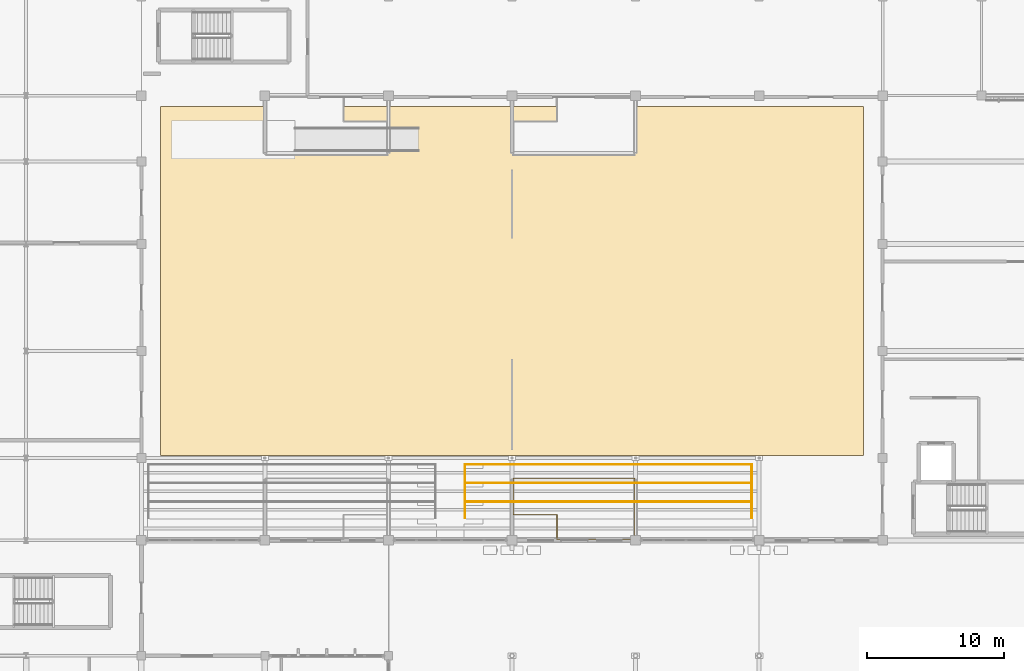
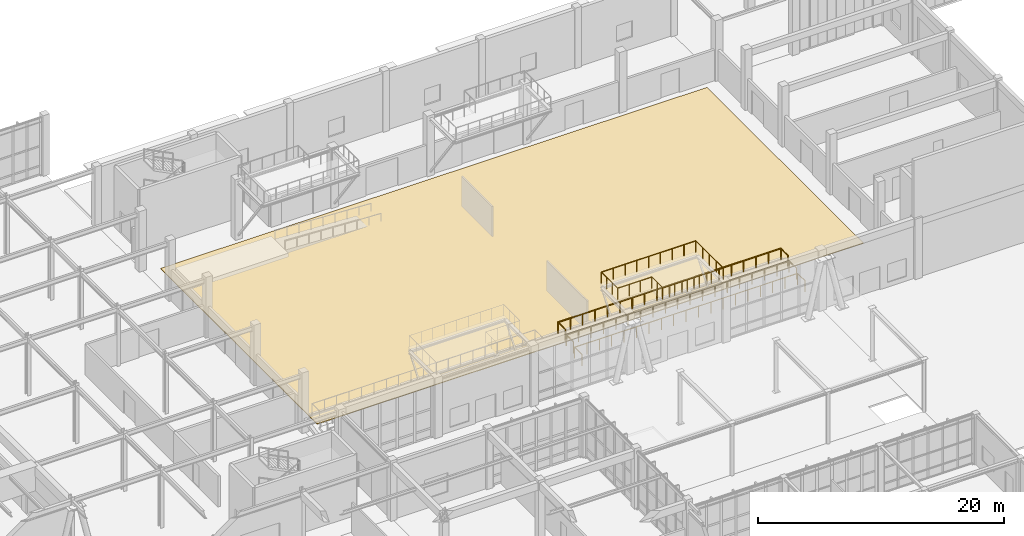
# One storey, part 100 of 110: 4 railings, 1 covering.
"""IFC4 building model written with IfcOpenShell, lengths in metres."""

import ifcopenshell
import ifcopenshell.guid

model = None  # the IFC model being written
_history = None  # IfcOwnerHistory: only IFC2X3 demands one
_inside = {}  # id of a spatial element -> (the spatial element, [elements in it])
_under = {}  # id of a project, library or spatial element -> (it, [spatial elements below it])
_declared = {}  # id of a project -> (the project, [libraries it declares])
_typed = {}  # id of a type object -> (the type object, [elements of that type])
_made_of = {}  # id of a material, layer set ... -> (it, [elements and type objects made of it])


def new_model(schema):
    """Start an empty IFC model of exactly this schema.

    Asked for "IFC4X3", IfcOpenShell would pick the latest addendum, in which some entities
    have other attributes; the version numbers below select the first issue.
    IFC2X3 requires an IfcOwnerHistory on every rooted entity: one is made here for all.
    """
    global model, _history
    if schema == "IFC4X3":
        model = ifcopenshell.file(schema_version=(4, 3, 0, 0))
    else:
        model = ifcopenshell.file(schema=schema)
    _inside.clear()
    _under.clear()
    _declared.clear()
    _typed.clear()
    _made_of.clear()
    _history = None
    if model.schema == "IFC2X3":
        org = make("IfcOrganization", Name="unknown")
        user = make(
            "IfcPersonAndOrganization",
            ThePerson=make("IfcPerson", FamilyName="unknown"),
            TheOrganization=org,
        )
        app = make(
            "IfcApplication",
            ApplicationDeveloper=org,
            Version="unknown",
            ApplicationFullName="unknown",
            ApplicationIdentifier="unknown",
        )
        _history = make(
            "IfcOwnerHistory",
            OwningUser=user,
            OwningApplication=app,
            ChangeAction="ADDED",
            CreationDate=0,
        )
    return model


def make(cls, **values):
    """One entity of the class cls with the attributes given. An attribute that is None is left unset."""
    return model.create_entity(
        cls, **{name: value for name, value in values.items() if value is not None}
    )


def rooted(cls, **values):
    """An entity with a GlobalId (a new one), such as an element, a storey or a relation."""
    return make(cls, GlobalId=ifcopenshell.guid.new(), OwnerHistory=_history, **values)


def si_unit(unit_type, name, prefix=None):
    """IfcSIUnit, for example si_unit("LENGTHUNIT", "METRE", prefix="MILLI")."""
    return make("IfcSIUnit", UnitType=unit_type, Prefix=prefix, Name=name)


def assignment(units):
    """IfcUnitAssignment: the units of a project."""
    return None if units is None else make("IfcUnitAssignment", Units=units)


def point(xyz):
    """IfcCartesianPoint."""
    return None if xyz is None else make("IfcCartesianPoint", Coordinates=xyz)


def direction(xyz):
    """IfcDirection."""
    return None if xyz is None else make("IfcDirection", DirectionRatios=xyz)


def frame(location, z_axis=None, x_axis=None):
    """IfcAxis2Placement3D, a coordinate frame: its origin and axes. An axis left out is left unset."""
    return make(
        "IfcAxis2Placement3D",
        Location=point(location),
        Axis=direction(z_axis),
        RefDirection=direction(x_axis),
    )


def frame_2d(location, x_axis=None):
    """IfcAxis2Placement2D, a coordinate frame in the plane: its origin and x axis."""
    return make(
        "IfcAxis2Placement2D", Location=point(location), RefDirection=direction(x_axis)
    )


def origin():
    """The frame at (0, 0, 0) with its axes left unset."""
    return frame((0.0, 0.0, 0.0))


def origin_2d():
    """The frame at (0, 0) in the plane with its x axis left unset."""
    return frame_2d((0.0, 0.0))


def place(relative_to, where):
    """IfcLocalPlacement: puts the frame where relative to a parent placement (None: the world)."""
    return make(
        "IfcLocalPlacement", PlacementRelTo=relative_to, RelativePlacement=where
    )


def context(
    kind, dimensions, precision=None, world=None, true_north=None, identifier=None
):
    """IfcGeometricRepresentationContext, for example the 3D "Model" context."""
    return make(
        "IfcGeometricRepresentationContext",
        ContextIdentifier=identifier,
        ContextType=kind,
        CoordinateSpaceDimension=dimensions,
        Precision=precision,
        WorldCoordinateSystem=world,
        TrueNorth=true_north,
    )


def subcontext(parent, identifier, kind, view, scale=None):
    """IfcGeometricRepresentationSubContext, for example "Body" below "Model"."""
    return make(
        "IfcGeometricRepresentationSubContext",
        ContextIdentifier=identifier,
        ContextType=kind,
        ParentContext=parent,
        TargetScale=scale,
        TargetView=view,
    )


def project(units=None, contexts=None):
    """IfcProject with its units and contexts."""
    return rooted(
        "IfcProject",
        Name="project",
        RepresentationContexts=contexts,
        UnitsInContext=assignment(units),
    )


def spatial(cls, under=None, at=None, **own):
    """A site, building, storey or space (cls), placed at a placement, below another one or the project."""
    s = rooted(cls, ObjectPlacement=at, **own)
    if under is not None:
        _under.setdefault(under.id(), (under, []))[1].append(s)
    return s


def polyline(points):
    """IfcPolyline through the points."""
    return make("IfcPolyline", Points=[point(p) for p in points])


def profile(cls, at=None, kind="AREA", **sizes):
    """A parametric profile (cls). Its sizes go by their IFC names, for example OverallWidth=200.0."""
    return make(cls, ProfileType=kind, Position=at, **sizes)


def circle(**sizes):
    """IfcCircleProfileDef."""
    return profile("IfcCircleProfileDef", **sizes)


def outline(outer, holes=None, kind="AREA"):
    """IfcArbitraryClosedProfileDef: a profile drawn as a closed curve; with holes, ...WithVoids."""
    if holes is None:
        return make("IfcArbitraryClosedProfileDef", ProfileType=kind, OuterCurve=outer)
    return make(
        "IfcArbitraryProfileDefWithVoids",
        ProfileType=kind,
        OuterCurve=outer,
        InnerCurves=holes,
    )


def extrude(swept, where, along, depth):
    """IfcExtrudedAreaSolid: the profile swept, set in the frame where, extruded along a direction by depth."""
    return make(
        "IfcExtrudedAreaSolid",
        SweptArea=swept,
        Position=where,
        ExtrudedDirection=direction(along),
        Depth=depth,
    )


def shape(context_of_items, identifier, shape_type, items):
    """IfcShapeRepresentation: the items that make up one representation, for example the "Body"."""
    return make(
        "IfcShapeRepresentation",
        ContextOfItems=context_of_items,
        RepresentationIdentifier=identifier,
        RepresentationType=shape_type,
        Items=items,
    )


def material(Name=None, Category=None):
    """IfcMaterial."""
    return make("IfcMaterial", Name=Name, Category=Category)


def layer(
    of_material, thickness, ventilated=None, Name=None, Category=None, Priority=None
):
    """IfcMaterialLayer: one layer of a wall or slab, of a material (None: an air gap)."""
    return make(
        "IfcMaterialLayer",
        Material=of_material,
        LayerThickness=thickness,
        IsVentilated=ventilated,
        Name=Name,
        Category=Category,
        Priority=Priority,
    )


def layer_set(layers, Name=None):
    """IfcMaterialLayerSet."""
    return make("IfcMaterialLayerSet", MaterialLayers=layers, LayerSetName=Name)


def made_of(thing, what):
    """Note that an element or type object is made of a material, layer set ...; save() writes the relation."""
    if what is not None:
        _made_of.setdefault(what.id(), (what, []))[1].append(thing)
    return thing


def type_object(cls, material=None, **own):
    """A type object (cls), such as IfcWallType, which elements share."""
    return made_of(rooted(cls, **own), material)


def element(
    cls,
    number,
    at=None,
    inside=None,
    cuts=None,
    type_object=None,
    material=None,
    context=None,
    identifier="Body",
    shape_type=None,
    held_by="IfcProductDefinitionShape",
    body=None,
    shapes=None,
    **own,
):
    """One element of the class cls, such as IfcWall. Its Tag is "e" and its number.

    at: its placement. inside: the storey or other place that contains it. cuts: it is an
    opening in that element (IfcRelVoidsElement). A single representation is given by context,
    identifier, shape_type and body (its items); several are given by shapes. held_by: the class
    of the entity that holds the representations. save() writes the other relations.
    """
    e = rooted(cls, Tag="e%d" % number, ObjectPlacement=at, **own)
    if body is not None:
        shapes = [shape(context, identifier, shape_type, body)]
    if shapes is not None:
        e.Representation = make(held_by, Representations=shapes)
    if inside is not None:
        _inside.setdefault(inside.id(), (inside, []))[1].append(e)
    if cuts is not None:
        rooted(
            "IfcRelVoidsElement", RelatingBuildingElement=cuts, RelatedOpeningElement=e
        )
    if type_object is not None:
        _typed.setdefault(type_object.id(), (type_object, []))[1].append(e)
    return made_of(e, material)


def aggregate(whole, parts):
    """IfcRelAggregates: a whole, such as a stair, and the parts it consists of."""
    return rooted("IfcRelAggregates", RelatingObject=whole, RelatedObjects=parts)


def save(model, path):
    """Write the relations noted so far, then the file.

    IfcRelAggregates (storeys below a building ...), IfcRelContainedInSpatialStructure (elements
    in a storey), IfcRelDefinesByType, IfcRelAssociatesMaterial and IfcRelDeclares: one each for
    every whole, place, type object, material and project.
    """
    for whole, parts in _under.values():
        aggregate(whole, parts)
    for where, things in _inside.values():
        rooted(
            "IfcRelContainedInSpatialStructure",
            RelatedElements=things,
            RelatingStructure=where,
        )
    for kind, things in _typed.values():
        rooted("IfcRelDefinesByType", RelatedObjects=things, RelatingType=kind)
    for what, things in _made_of.values():
        rooted("IfcRelAssociatesMaterial", RelatedObjects=things, RelatingMaterial=what)
    for by, libraries in _declared.values():
        rooted("IfcRelDeclares", RelatingContext=by, RelatedDefinitions=libraries)
    model.write(path)


model = new_model("IFC4")

# Units and contexts
model_context = context("Model", 3, precision=1e-05, world=origin(), true_north=direction((0.0, 1.0)))
body_context = subcontext(model_context, "Body", "Model", "MODEL_VIEW")
ifc_project = project(units=[si_unit("LENGTHUNIT", "METRE"), si_unit("AREAUNIT", "SQUARE_METRE"), si_unit("VOLUMEUNIT", "CUBIC_METRE"), si_unit("PLANEANGLEUNIT", "RADIAN"), si_unit("MASSUNIT", "GRAM", prefix="KILO")], contexts=[model_context])

# Site, building, storey
site_placement = place(None, origin())
site = spatial("IfcSite", under=ifc_project, at=site_placement, CompositionType="ELEMENT")
building_placement = place(site_placement, origin())
building = spatial("IfcBuilding", under=site, at=building_placement, Name="Tizgana Railside Sports Hall", CompositionType="ELEMENT")
storey_placement = place(building_placement, origin())
storey = spatial("IfcBuildingStorey", under=building, at=storey_placement, Name="L00", CompositionType="ELEMENT", Elevation=0.0)

# Railings
ifc_material_1 = material(Name="Galvanised steel sheet", Category="steel")
railing_type_1 = type_object("IfcRailingType", Name="Safety Balustrade Guard 1100", PredefinedType="BALUSTRADE", material=ifc_material_1)
railing_1_placement = place(storey_placement, frame((103.3798828125, 42.429931640625, 0.840087890625)))
element("IfcRailing", 1, at=railing_1_placement, inside=storey, type_object=railing_type_1, Name="L00 Stand Guard SGD-0008", PredefinedType="BALUSTRADE", context=body_context, shape_type="SweptSolid", body=[
    extrude(circle(Radius=0.02392578125, at=origin_2d()), frame((0.0, 0.0, 1.09619140625), z_axis=(0.0, 1.0, 0.0), x_axis=(-1.0, 0.0, 0.0)), (0.0, 0.0, 1.0), 1.190185546875),
    extrude(circle(Radius=0.02392578125, at=origin_2d()), frame((0.0, 1.190185546875, 1.09619140625), z_axis=(1.0, 0.0, 0.0), x_axis=(0.0, 1.0, 0.0)), (0.0, 0.0, 1.0), 20.89013671875),
    extrude(circle(Radius=0.02392578125, at=origin_2d()), frame((20.89013671875, 1.190185546875, 1.09619140625), z_axis=(0.0, -1.0, 0.0), x_axis=(1.0, 0.0, 0.0)), (0.0, 0.0, 1.0), 1.190185546875),
    extrude(circle(Radius=0.02099609375, at=origin_2d()), origin(), (0.0, 0.0, 1.0), 1.072021484375),
    extrude(circle(Radius=0.02099609375, at=origin_2d()), frame((0.0, 1.190185546875, 0.0)), (0.0, 0.0, 1.0), 1.072021484375),
    extrude(circle(Radius=0.02099609375, at=origin_2d()), frame((1.16064453125, 1.190185546875, 0.0)), (0.0, 0.0, 1.0), 1.072021484375),
    extrude(circle(Radius=0.02099609375, at=origin_2d()), frame((2.321044921875, 1.190185546875, 0.0)), (0.0, 0.0, 1.0), 1.072021484375),
    extrude(circle(Radius=0.02099609375, at=origin_2d()), frame((3.481689453125, 1.190185546875, 0.0)), (0.0, 0.0, 1.0), 1.072021484375),
    extrude(circle(Radius=0.02099609375, at=origin_2d()), frame((4.642333984375, 1.190185546875, 0.0)), (0.0, 0.0, 1.0), 1.072021484375),
    extrude(circle(Radius=0.02099609375, at=origin_2d()), frame((5.802734375, 1.190185546875, 0.0)), (0.0, 0.0, 1.0), 1.072021484375),
    extrude(circle(Radius=0.02099609375, at=origin_2d()), frame((6.96337890625, 1.190185546875, 0.0)), (0.0, 0.0, 1.0), 1.072021484375),
    extrude(circle(Radius=0.02099609375, at=origin_2d()), frame((8.1240234375, 1.190185546875, 0.0)), (0.0, 0.0, 1.0), 1.072021484375),
    extrude(circle(Radius=0.02099609375, at=origin_2d()), frame((9.284423828125, 1.190185546875, 0.0)), (0.0, 0.0, 1.0), 1.072021484375),
    extrude(circle(Radius=0.02099609375, at=origin_2d()), frame((10.445068359375, 1.190185546875, 0.0)), (0.0, 0.0, 1.0), 1.072021484375),
    extrude(circle(Radius=0.02099609375, at=origin_2d()), frame((11.605712890625, 1.190185546875, 0.0)), (0.0, 0.0, 1.0), 1.072021484375),
    extrude(circle(Radius=0.02099609375, at=origin_2d()), frame((12.76611328125, 1.190185546875, 0.0)), (0.0, 0.0, 1.0), 1.072021484375),
    extrude(circle(Radius=0.02099609375, at=origin_2d()), frame((13.9267578125, 1.190185546875, 0.0)), (0.0, 0.0, 1.0), 1.072021484375),
    extrude(circle(Radius=0.02099609375, at=origin_2d()), frame((15.08740234375, 1.190185546875, 0.0)), (0.0, 0.0, 1.0), 1.072021484375),
    extrude(circle(Radius=0.02099609375, at=origin_2d()), frame((16.247802734375, 1.190185546875, 0.0)), (0.0, 0.0, 1.0), 1.072021484375),
    extrude(circle(Radius=0.02099609375, at=origin_2d()), frame((17.408447265625, 1.190185546875, 0.0)), (0.0, 0.0, 1.0), 1.072021484375),
    extrude(circle(Radius=0.02099609375, at=origin_2d()), frame((18.569091796875, 1.190185546875, 0.0)), (0.0, 0.0, 1.0), 1.072021484375),
    extrude(circle(Radius=0.02099609375, at=origin_2d()), frame((19.7294921875, 1.190185546875, 0.0)), (0.0, 0.0, 1.0), 1.072021484375),
    extrude(circle(Radius=0.02099609375, at=origin_2d()), frame((20.89013671875, 1.190185546875, 0.0)), (0.0, 0.0, 1.0), 1.072021484375),
    extrude(circle(Radius=0.02099609375, at=origin_2d()), frame((20.89013671875, 0.0, 0.0)), (0.0, 0.0, 1.0), 1.072021484375),
])
railing_2_placement = place(storey_placement, frame((103.3798828125, 43.780029296875, 1.260009765625)))
element("IfcRailing", 2, at=railing_2_placement, inside=storey, type_object=railing_type_1, Name="L00 Stand Guard SGD-0010", PredefinedType="BALUSTRADE", context=body_context, shape_type="SweptSolid", body=[
    extrude(circle(Radius=0.02392578125, at=origin_2d()), frame((0.0, 0.0, 1.09619140625), z_axis=(0.0, 1.0, 0.0), x_axis=(-1.0, 0.0, 0.0)), (0.0, 0.0, 1.0), 1.18994140625),
    extrude(circle(Radius=0.02392578125, at=origin_2d()), frame((0.0, 1.18994140625, 1.09619140625), z_axis=(1.0, 0.0, 0.0), x_axis=(0.0, 1.0, 0.0)), (0.0, 0.0, 1.0), 20.89013671875),
    extrude(circle(Radius=0.02392578125, at=origin_2d()), frame((20.89013671875, 1.18994140625, 1.09619140625), z_axis=(0.0, -1.0, 0.0), x_axis=(1.0, 0.0, 0.0)), (0.0, 0.0, 1.0), 1.18994140625),
    extrude(circle(Radius=0.02099609375, at=origin_2d()), origin(), (0.0, 0.0, 1.0), 1.072021484375),
    extrude(circle(Radius=0.02099609375, at=origin_2d()), frame((0.0, 1.18994140625, 0.0)), (0.0, 0.0, 1.0), 1.072021484375),
    extrude(circle(Radius=0.02099609375, at=origin_2d()), frame((1.16064453125, 1.18994140625, 0.0)), (0.0, 0.0, 1.0), 1.072021484375),
    extrude(circle(Radius=0.02099609375, at=origin_2d()), frame((2.321044921875, 1.18994140625, 0.0)), (0.0, 0.0, 1.0), 1.072021484375),
    extrude(circle(Radius=0.02099609375, at=origin_2d()), frame((3.481689453125, 1.18994140625, 0.0)), (0.0, 0.0, 1.0), 1.072021484375),
    extrude(circle(Radius=0.02099609375, at=origin_2d()), frame((4.642333984375, 1.18994140625, 0.0)), (0.0, 0.0, 1.0), 1.072021484375),
    extrude(circle(Radius=0.02099609375, at=origin_2d()), frame((5.802734375, 1.18994140625, 0.0)), (0.0, 0.0, 1.0), 1.072021484375),
    extrude(circle(Radius=0.02099609375, at=origin_2d()), frame((6.96337890625, 1.18994140625, 0.0)), (0.0, 0.0, 1.0), 1.072021484375),
    extrude(circle(Radius=0.02099609375, at=origin_2d()), frame((8.1240234375, 1.18994140625, 0.0)), (0.0, 0.0, 1.0), 1.072021484375),
    extrude(circle(Radius=0.02099609375, at=origin_2d()), frame((9.284423828125, 1.18994140625, 0.0)), (0.0, 0.0, 1.0), 1.072021484375),
    extrude(circle(Radius=0.02099609375, at=origin_2d()), frame((10.445068359375, 1.18994140625, 0.0)), (0.0, 0.0, 1.0), 1.072021484375),
    extrude(circle(Radius=0.02099609375, at=origin_2d()), frame((11.605712890625, 1.18994140625, 0.0)), (0.0, 0.0, 1.0), 1.072021484375),
    extrude(circle(Radius=0.02099609375, at=origin_2d()), frame((12.76611328125, 1.18994140625, 0.0)), (0.0, 0.0, 1.0), 1.072021484375),
    extrude(circle(Radius=0.02099609375, at=origin_2d()), frame((13.9267578125, 1.18994140625, 0.0)), (0.0, 0.0, 1.0), 1.072021484375),
    extrude(circle(Radius=0.02099609375, at=origin_2d()), frame((15.08740234375, 1.18994140625, 0.0)), (0.0, 0.0, 1.0), 1.072021484375),
    extrude(circle(Radius=0.02099609375, at=origin_2d()), frame((16.247802734375, 1.18994140625, 0.0)), (0.0, 0.0, 1.0), 1.072021484375),
    extrude(circle(Radius=0.02099609375, at=origin_2d()), frame((17.408447265625, 1.18994140625, 0.0)), (0.0, 0.0, 1.0), 1.072021484375),
    extrude(circle(Radius=0.02099609375, at=origin_2d()), frame((18.569091796875, 1.18994140625, 0.0)), (0.0, 0.0, 1.0), 1.072021484375),
    extrude(circle(Radius=0.02099609375, at=origin_2d()), frame((19.7294921875, 1.18994140625, 0.0)), (0.0, 0.0, 1.0), 1.072021484375),
    extrude(circle(Radius=0.02099609375, at=origin_2d()), frame((20.89013671875, 1.18994140625, 0.0)), (0.0, 0.0, 1.0), 1.072021484375),
    extrude(circle(Radius=0.02099609375, at=origin_2d()), frame((20.89013671875, 0.0, 0.0)), (0.0, 0.0, 1.0), 1.072021484375),
])
railing_3_placement = place(storey_placement, frame((103.3798828125, 45.1298828125, 1.679931640625)))
element("IfcRailing", 3, at=railing_3_placement, inside=storey, type_object=railing_type_1, Name="L00 Stand Guard SGD-0012", PredefinedType="BALUSTRADE", context=body_context, shape_type="SweptSolid", body=[
    extrude(circle(Radius=0.02392578125, at=origin_2d()), frame((0.0, 0.0, 1.09619140625), z_axis=(0.0, 1.0, 0.0), x_axis=(-1.0, 0.0, 0.0)), (0.0, 0.0, 1.0), 1.190185546875),
    extrude(circle(Radius=0.02392578125, at=origin_2d()), frame((0.0, 1.190185546875, 1.09619140625), z_axis=(1.0, 0.0, 0.0), x_axis=(0.0, 1.0, 0.0)), (0.0, 0.0, 1.0), 20.89013671875),
    extrude(circle(Radius=0.02392578125, at=origin_2d()), frame((20.89013671875, 1.190185546875, 1.09619140625), z_axis=(0.0, -1.0, 0.0), x_axis=(1.0, 0.0, 0.0)), (0.0, 0.0, 1.0), 1.190185546875),
    extrude(circle(Radius=0.02099609375, at=origin_2d()), origin(), (0.0, 0.0, 1.0), 1.072021484375),
    extrude(circle(Radius=0.02099609375, at=origin_2d()), frame((0.0, 1.190185546875, 0.0)), (0.0, 0.0, 1.0), 1.072021484375),
    extrude(circle(Radius=0.02099609375, at=origin_2d()), frame((1.16064453125, 1.190185546875, 0.0)), (0.0, 0.0, 1.0), 1.072021484375),
    extrude(circle(Radius=0.02099609375, at=origin_2d()), frame((2.321044921875, 1.190185546875, 0.0)), (0.0, 0.0, 1.0), 1.072021484375),
    extrude(circle(Radius=0.02099609375, at=origin_2d()), frame((3.481689453125, 1.190185546875, 0.0)), (0.0, 0.0, 1.0), 1.072021484375),
    extrude(circle(Radius=0.02099609375, at=origin_2d()), frame((4.642333984375, 1.190185546875, 0.0)), (0.0, 0.0, 1.0), 1.072021484375),
    extrude(circle(Radius=0.02099609375, at=origin_2d()), frame((5.802734375, 1.190185546875, 0.0)), (0.0, 0.0, 1.0), 1.072021484375),
    extrude(circle(Radius=0.02099609375, at=origin_2d()), frame((6.96337890625, 1.190185546875, 0.0)), (0.0, 0.0, 1.0), 1.072021484375),
    extrude(circle(Radius=0.02099609375, at=origin_2d()), frame((8.1240234375, 1.190185546875, 0.0)), (0.0, 0.0, 1.0), 1.072021484375),
    extrude(circle(Radius=0.02099609375, at=origin_2d()), frame((9.284423828125, 1.190185546875, 0.0)), (0.0, 0.0, 1.0), 1.072021484375),
    extrude(circle(Radius=0.02099609375, at=origin_2d()), frame((10.445068359375, 1.190185546875, 0.0)), (0.0, 0.0, 1.0), 1.072021484375),
    extrude(circle(Radius=0.02099609375, at=origin_2d()), frame((11.605712890625, 1.190185546875, 0.0)), (0.0, 0.0, 1.0), 1.072021484375),
    extrude(circle(Radius=0.02099609375, at=origin_2d()), frame((12.76611328125, 1.190185546875, 0.0)), (0.0, 0.0, 1.0), 1.072021484375),
    extrude(circle(Radius=0.02099609375, at=origin_2d()), frame((13.9267578125, 1.190185546875, 0.0)), (0.0, 0.0, 1.0), 1.072021484375),
    extrude(circle(Radius=0.02099609375, at=origin_2d()), frame((15.08740234375, 1.190185546875, 0.0)), (0.0, 0.0, 1.0), 1.072021484375),
    extrude(circle(Radius=0.02099609375, at=origin_2d()), frame((16.247802734375, 1.190185546875, 0.0)), (0.0, 0.0, 1.0), 1.072021484375),
    extrude(circle(Radius=0.02099609375, at=origin_2d()), frame((17.408447265625, 1.190185546875, 0.0)), (0.0, 0.0, 1.0), 1.072021484375),
    extrude(circle(Radius=0.02099609375, at=origin_2d()), frame((18.569091796875, 1.190185546875, 0.0)), (0.0, 0.0, 1.0), 1.072021484375),
    extrude(circle(Radius=0.02099609375, at=origin_2d()), frame((19.7294921875, 1.190185546875, 0.0)), (0.0, 0.0, 1.0), 1.072021484375),
    extrude(circle(Radius=0.02099609375, at=origin_2d()), frame((20.89013671875, 1.190185546875, 0.0)), (0.0, 0.0, 1.0), 1.072021484375),
    extrude(circle(Radius=0.02099609375, at=origin_2d()), frame((20.89013671875, 0.0, 0.0)), (0.0, 0.0, 1.0), 1.072021484375),
])

# Covering
ifc_material_2 = material(Name="Sprung beech timber", Category="wood")
ifc_layer = layer(ifc_material_2, 0.06494140625, Name="Sprung beech timber")
ifc_layer_set = layer_set([ifc_layer], Name="Sprung beech timber")
covering_type = type_object("IfcCoveringType", Name="Sprung Beech Hardwood Court Floor", PredefinedType="FLOORING", material=ifc_layer_set)
covering_placement = place(storey_placement, origin())
element("IfcCovering", 4, at=covering_placement, inside=storey, type_object=covering_type, Name="L00 Sprung Sports Floor FLR-0002", PredefinedType="FLOORING", context=body_context, shape_type="SweptSolid", body=[
    extrude(outline(polyline([(81.199951171875, 47.0), (132.39990234375, 47.0), (132.39990234375, 72.39990234375), (81.199951171875, 72.39990234375), (81.199951171875, 47.0)])), origin(), (0.0, 0.0, 1.0), 0.06494140625),
])

# Railing
ifc_material_3 = material(Name="Anodised aluminium", Category="aluminium")
railing_type_2 = type_object("IfcRailingType", Name="Terrace & Track Guard 1150", PredefinedType="BALUSTRADE", material=ifc_material_3)
railing_4_placement = place(storey_placement, frame((110.080078125, 40.8798828125, 6.0)))
element("IfcRailing", 5, at=railing_4_placement, inside=storey, type_object=railing_type_2, Name="L00 V2 Court2 Catwalk SE Guard", PredefinedType="BALUSTRADE", context=body_context, shape_type="SweptSolid", body=[
    extrude(circle(Radius=0.02392578125, at=origin_2d()), frame((0.0, 0.0, 1.1259765625), z_axis=(1.0, 0.0, 0.0), x_axis=(0.0, 1.0, 0.0)), (0.0, 0.0, 1.0), 5.639892578125),
    extrude(circle(Radius=0.02392578125, at=origin_2d()), frame((5.639892578125, 0.0, 1.1259765625), z_axis=(0.0, 1.0, 0.0), x_axis=(-1.0, 0.0, 0.0)), (0.0, 0.0, 1.0), 4.440185546875),
    extrude(circle(Radius=0.02392578125, at=origin_2d()), frame((5.639892578125, 4.440185546875, 1.1259765625), z_axis=(-1.0, 0.0, 0.0), x_axis=(0.0, -1.0, 0.0)), (0.0, 0.0, 1.0), 8.840087890625),
    extrude(circle(Radius=0.02392578125, at=origin_2d()), frame((-3.2001953125, 4.440185546875, 1.1259765625), z_axis=(0.0, -1.0, 0.0), x_axis=(1.0, 0.0, 0.0)), (0.0, 0.0, 1.0), 2.64013671875),
    extrude(circle(Radius=0.02392578125, at=origin_2d()), frame((-3.2001953125, 1.800048828125, 1.1259765625), z_axis=(1.0, 0.0, 0.0), x_axis=(0.0, 1.0, 0.0)), (0.0, 0.0, 1.0), 3.2001953125),
    extrude(circle(Radius=0.02392578125, at=origin_2d()), frame((0.0, 1.800048828125, 1.1259765625), z_axis=(0.0, -1.0, 0.0), x_axis=(1.0, 0.0, 0.0)), (0.0, 0.0, 1.0), 1.719970703125),
    extrude(circle(Radius=0.02099609375, at=origin_2d()), origin(), (0.0, 0.0, 1.0), 1.101806640625),
    extrude(circle(Radius=0.02099609375, at=origin_2d()), frame((1.1279296875, 0.0, 0.0)), (0.0, 0.0, 1.0), 1.101806640625),
    extrude(circle(Radius=0.02099609375, at=origin_2d()), frame((2.255859375, 0.0, 0.0)), (0.0, 0.0, 1.0), 1.101806640625),
    extrude(circle(Radius=0.02099609375, at=origin_2d()), frame((3.384033203125, 0.0, 0.0)), (0.0, 0.0, 1.0), 1.101806640625),
    extrude(circle(Radius=0.02099609375, at=origin_2d()), frame((4.511962890625, 0.0, 0.0)), (0.0, 0.0, 1.0), 1.101806640625),
    extrude(circle(Radius=0.02099609375, at=origin_2d()), frame((5.639892578125, 0.0, 0.0)), (0.0, 0.0, 1.0), 1.101806640625),
    extrude(circle(Radius=0.02099609375, at=origin_2d()), frame((5.639892578125, 1.110107421875, 0.0)), (0.0, 0.0, 1.0), 1.101806640625),
    extrude(circle(Radius=0.02099609375, at=origin_2d()), frame((5.639892578125, 2.22021484375, 0.0)), (0.0, 0.0, 1.0), 1.101806640625),
    extrude(circle(Radius=0.02099609375, at=origin_2d()), frame((5.639892578125, 3.330078125, 0.0)), (0.0, 0.0, 1.0), 1.101806640625),
    extrude(circle(Radius=0.02099609375, at=origin_2d()), frame((5.639892578125, 4.440185546875, 0.0)), (0.0, 0.0, 1.0), 1.101806640625),
    extrude(circle(Radius=0.02099609375, at=origin_2d()), frame((4.534912109375, 4.440185546875, 0.0)), (0.0, 0.0, 1.0), 1.101806640625),
    extrude(circle(Radius=0.02099609375, at=origin_2d()), frame((3.429931640625, 4.440185546875, 0.0)), (0.0, 0.0, 1.0), 1.101806640625),
    extrude(circle(Radius=0.02099609375, at=origin_2d()), frame((2.324951171875, 4.440185546875, 0.0)), (0.0, 0.0, 1.0), 1.101806640625),
    extrude(circle(Radius=0.02099609375, at=origin_2d()), frame((1.2197265625, 4.440185546875, 0.0)), (0.0, 0.0, 1.0), 1.101806640625),
    extrude(circle(Radius=0.02099609375, at=origin_2d()), frame((0.11474609375, 4.440185546875, 0.0)), (0.0, 0.0, 1.0), 1.101806640625),
    extrude(circle(Radius=0.02099609375, at=origin_2d()), frame((-0.990234375, 4.440185546875, 0.0)), (0.0, 0.0, 1.0), 1.101806640625),
    extrude(circle(Radius=0.02099609375, at=origin_2d()), frame((-2.09521484375, 4.440185546875, 0.0)), (0.0, 0.0, 1.0), 1.101806640625),
    extrude(circle(Radius=0.02099609375, at=origin_2d()), frame((-3.2001953125, 4.440185546875, 0.0)), (0.0, 0.0, 1.0), 1.101806640625),
    extrude(circle(Radius=0.02099609375, at=origin_2d()), frame((-3.2001953125, 3.56005859375, 0.0)), (0.0, 0.0, 1.0), 1.101806640625),
    extrude(circle(Radius=0.02099609375, at=origin_2d()), frame((-3.2001953125, 2.68017578125, 0.0)), (0.0, 0.0, 1.0), 1.101806640625),
    extrude(circle(Radius=0.02099609375, at=origin_2d()), frame((-3.2001953125, 1.800048828125, 0.0)), (0.0, 0.0, 1.0), 1.101806640625),
    extrude(circle(Radius=0.02099609375, at=origin_2d()), frame((-2.133544921875, 1.800048828125, 0.0)), (0.0, 0.0, 1.0), 1.101806640625),
    extrude(circle(Radius=0.02099609375, at=origin_2d()), frame((-1.066650390625, 1.800048828125, 0.0)), (0.0, 0.0, 1.0), 1.101806640625),
    extrude(circle(Radius=0.02099609375, at=origin_2d()), frame((0.0, 1.800048828125, 0.0)), (0.0, 0.0, 1.0), 1.101806640625),
    extrude(circle(Radius=0.02099609375, at=origin_2d()), frame((0.0, 0.93994140625, 0.0)), (0.0, 0.0, 1.0), 1.101806640625),
    extrude(circle(Radius=0.02099609375, at=origin_2d()), frame((0.0, 0.080078125, 0.0)), (0.0, 0.0, 1.0), 1.101806640625),
])

save(model, "model.ifc")
